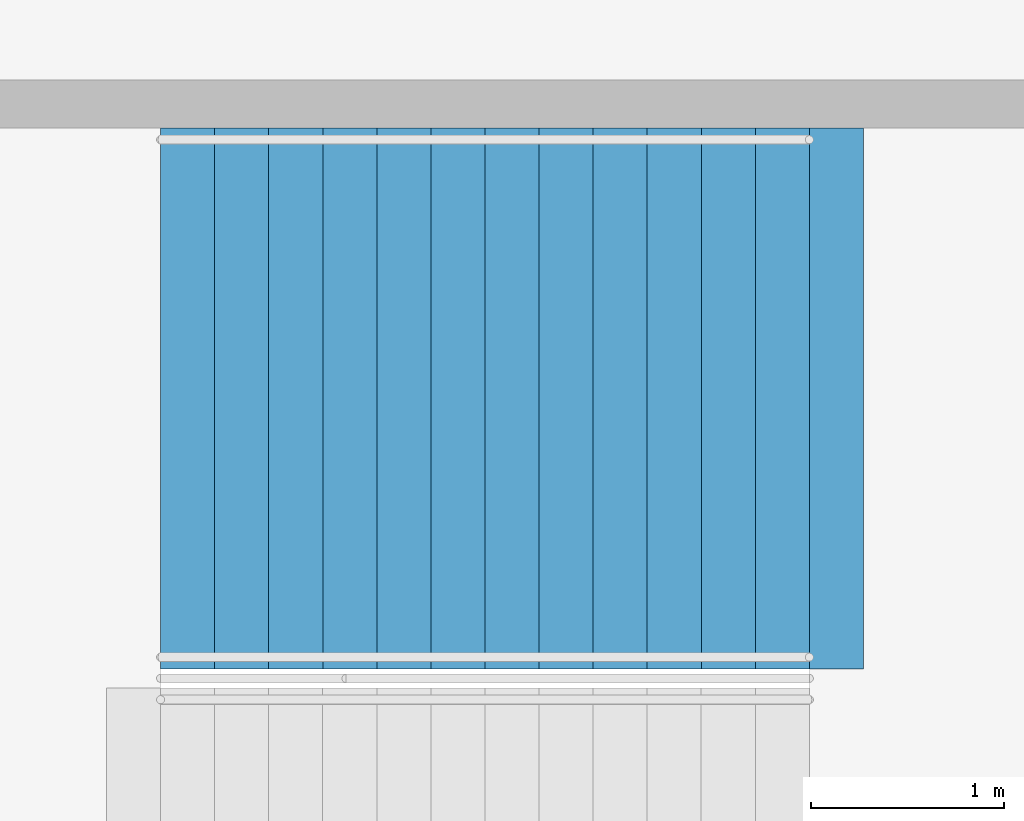
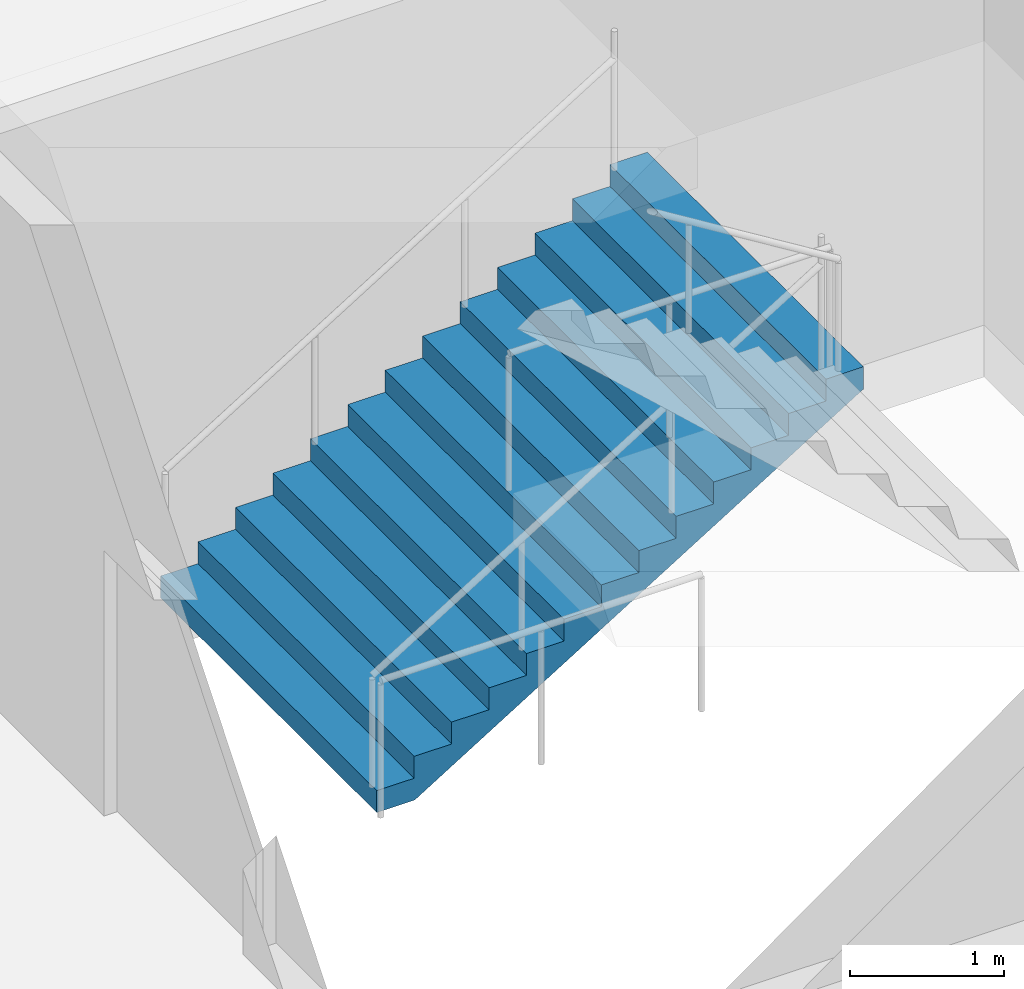
# One storey, part 177 of 199: 1 stair flight, 1 element without a shape of its own.
"""IFC4 building model written with IfcOpenShell, lengths in metres."""

from ifc_helpers import new_model, si_unit, direction, frame, origin, place, context, subcontext, project, spatial, faceted_brep, material, type_object, element, aggregate, save


model = new_model("IFC4")

# Units and contexts
model_context = context("Model", 3, precision=1e-05, world=origin(), true_north=direction((0.0, 1.0)))
body_context = subcontext(model_context, "Body", "Model", "MODEL_VIEW")
ifc_project = project(units=[si_unit("LENGTHUNIT", "METRE"), si_unit("AREAUNIT", "SQUARE_METRE"), si_unit("VOLUMEUNIT", "CUBIC_METRE"), si_unit("PLANEANGLEUNIT", "RADIAN"), si_unit("MASSUNIT", "GRAM", prefix="KILO")], contexts=[model_context])

# Site, building, storey
site_placement = place(None, origin())
site = spatial("IfcSite", under=ifc_project, at=site_placement, CompositionType="ELEMENT")
building_placement = place(site_placement, origin())
building = spatial("IfcBuilding", under=site, at=building_placement, Name="Ogive Plaza Stadium", CompositionType="ELEMENT")
storey_placement = place(building_placement, frame((0.0, 0.0, 4.5)))
storey = spatial("IfcBuildingStorey", under=building, at=storey_placement, Name="L01", CompositionType="ELEMENT", Elevation=4.5)

# Stair, stair flight
ifc_material_1 = material(Name="Concrete C40/50", Category="concrete")
stair_type = type_object("IfcStairType", Name="Exit stair", PredefinedType="STRAIGHT_RUN_STAIR", material=ifc_material_1)
stair_placement = place(storey_placement, origin())
stair = element("IfcStair", 1, at=stair_placement, inside=storey, type_object=stair_type, Name="Exit stair ST02B L01 to L02", PredefinedType="STRAIGHT_RUN_STAIR")
ifc_material_2 = material(Name="Concrete C40/50", Category="concrete")
stair_flight_type = type_object("IfcStairFlightType", Name="Exit stair flight", PredefinedType="STRAIGHT", material=ifc_material_2)
stair_flight_placement = place(storey_placement, frame((76.35009765625, 41.925048828125, 0.0), z_axis=(0.0, 0.0, 1.0), x_axis=(1.0, 0.0, 0.0)))
stair_flight = element("IfcStairFlight", 2, at=stair_flight_placement, type_object=stair_flight_type, Name="ST02B flight 1", NumberOfRisers=13, NumberOfTreads=12, PredefinedType="STRAIGHT", RiserHeight=0.173076923, TreadLength=0.28, context=body_context, shape_type="Brep", body=[
    faceted_brep([(0.28515625, -1.39990234375, 0.0), (3.639892578125, -1.39990234375, 2.07373046875), (3.639892578125, -1.39990234375, 2.25), (3.360107421875, -1.39990234375, 2.25), (3.360107421875, -1.39990234375, 2.076904296875), (3.080078125, -1.39990234375, 2.076904296875), (3.080078125, -1.39990234375, 1.90380859375), (2.800048828125, -1.39990234375, 1.90380859375), (2.800048828125, -1.39990234375, 1.730712890625), (2.52001953125, -1.39990234375, 1.730712890625), (2.52001953125, -1.39990234375, 1.5576171875), (2.239990234375, -1.39990234375, 1.5576171875), (2.239990234375, -1.39990234375, 1.384521484375), (1.9599609375, -1.39990234375, 1.384521484375), (1.9599609375, -1.39990234375, 1.21142578125), (1.679931640625, -1.39990234375, 1.21142578125), (1.679931640625, -1.39990234375, 1.03857421875), (1.39990234375, -1.39990234375, 1.03857421875), (1.39990234375, -1.39990234375, 0.865478515625), (1.1201171875, -1.39990234375, 0.865478515625), (1.1201171875, -1.39990234375, 0.6923828125), (0.840087890625, -1.39990234375, 0.6923828125), (0.840087890625, -1.39990234375, 0.519287109375), (0.56005859375, -1.39990234375, 0.519287109375), (0.56005859375, -1.39990234375, 0.34619140625), (0.280029296875, -1.39990234375, 0.34619140625), (0.280029296875, -1.39990234375, 0.173095703125), (0.0, -1.39990234375, 0.173095703125), (0.0, -1.39990234375, 0.0), (0.0, 1.39990234375, 0.0), (0.0, 1.39990234375, 0.173095703125), (0.280029296875, 1.39990234375, 0.173095703125), (0.280029296875, 1.39990234375, 0.34619140625), (0.56005859375, 1.39990234375, 0.34619140625), (0.56005859375, 1.39990234375, 0.519287109375), (0.840087890625, 1.39990234375, 0.519287109375), (0.840087890625, 1.39990234375, 0.6923828125), (1.1201171875, 1.39990234375, 0.6923828125), (1.1201171875, 1.39990234375, 0.865478515625), (1.39990234375, 1.39990234375, 0.865478515625), (1.39990234375, 1.39990234375, 1.03857421875), (1.679931640625, 1.39990234375, 1.03857421875), (1.679931640625, 1.39990234375, 1.21142578125), (1.9599609375, 1.39990234375, 1.21142578125), (1.9599609375, 1.39990234375, 1.384521484375), (2.239990234375, 1.39990234375, 1.384521484375), (2.239990234375, 1.39990234375, 1.5576171875), (2.52001953125, 1.39990234375, 1.5576171875), (2.52001953125, 1.39990234375, 1.730712890625), (2.800048828125, 1.39990234375, 1.730712890625), (2.800048828125, 1.39990234375, 1.90380859375), (3.080078125, 1.39990234375, 1.90380859375), (3.080078125, 1.39990234375, 2.076904296875), (3.360107421875, 1.39990234375, 2.076904296875), (3.360107421875, 1.39990234375, 2.25), (3.639892578125, 1.39990234375, 2.25), (3.639892578125, 1.39990234375, 2.07373046875), (0.28515625, 1.39990234375, 0.0), (0.28515625, -1.0888671875, 0.0), (3.639892578125, -1.0888671875, 2.07373046875), (0.28515625, -0.77783203125, 0.0), (3.639892578125, -0.77783203125, 2.07373046875), (0.28515625, -0.466796875, 0.0), (3.639892578125, -0.466796875, 2.07373046875), (0.28515625, -0.155517578125, 0.0), (3.639892578125, -0.155517578125, 2.07373046875), (0.28515625, 0.155517578125, 0.0), (3.639892578125, 0.155517578125, 2.07373046875), (0.28515625, 0.466796875, 0.0), (3.639892578125, 0.466796875, 2.07373046875), (0.28515625, 0.77783203125, 0.0), (3.639892578125, 0.77783203125, 2.07373046875), (0.28515625, 1.0888671875, 0.0), (3.639892578125, 1.0888671875, 2.07373046875), (3.639892578125, -1.0888671875, 2.25), (3.639892578125, -0.77783203125, 2.25), (3.639892578125, -0.466796875, 2.25), (3.639892578125, -0.155517578125, 2.25), (3.639892578125, 0.155517578125, 2.25), (3.639892578125, 0.466796875, 2.25), (3.639892578125, 0.77783203125, 2.25), (3.639892578125, 1.0888671875, 2.25), (3.360107421875, -1.0888671875, 2.25), (3.360107421875, -0.77783203125, 2.25), (3.360107421875, -0.466796875, 2.25), (3.360107421875, -0.155517578125, 2.25), (3.360107421875, 0.155517578125, 2.25), (3.360107421875, 0.466796875, 2.25), (3.360107421875, 0.77783203125, 2.25), (3.360107421875, 1.0888671875, 2.25), (3.360107421875, -1.0888671875, 2.076904296875), (3.360107421875, -0.77783203125, 2.076904296875), (3.360107421875, -0.466796875, 2.076904296875), (3.360107421875, -0.155517578125, 2.076904296875), (3.360107421875, 0.155517578125, 2.076904296875), (3.360107421875, 0.466796875, 2.076904296875), (3.360107421875, 0.77783203125, 2.076904296875), (3.360107421875, 1.0888671875, 2.076904296875), (3.080078125, -1.0888671875, 2.076904296875), (3.080078125, -0.77783203125, 2.076904296875), (3.080078125, -0.466796875, 2.076904296875), (3.080078125, -0.155517578125, 2.076904296875), (3.080078125, 0.155517578125, 2.076904296875), (3.080078125, 0.466796875, 2.076904296875), (3.080078125, 0.77783203125, 2.076904296875), (3.080078125, 1.0888671875, 2.076904296875), (3.080078125, -1.0888671875, 1.90380859375), (3.080078125, -0.77783203125, 1.90380859375), (3.080078125, -0.466796875, 1.90380859375), (3.080078125, -0.155517578125, 1.90380859375), (3.080078125, 0.155517578125, 1.90380859375), (3.080078125, 0.466796875, 1.90380859375), (3.080078125, 0.77783203125, 1.90380859375), (3.080078125, 1.0888671875, 1.90380859375), (2.800048828125, -1.0888671875, 1.90380859375), (2.800048828125, -0.77783203125, 1.90380859375), (2.800048828125, -0.466796875, 1.90380859375), (2.800048828125, -0.155517578125, 1.90380859375), (2.800048828125, 0.155517578125, 1.90380859375), (2.800048828125, 0.466796875, 1.90380859375), (2.800048828125, 0.77783203125, 1.90380859375), (2.800048828125, 1.0888671875, 1.90380859375), (2.800048828125, -1.0888671875, 1.730712890625), (2.800048828125, -0.77783203125, 1.730712890625), (2.800048828125, -0.466796875, 1.730712890625), (2.800048828125, -0.155517578125, 1.730712890625), (2.800048828125, 0.155517578125, 1.730712890625), (2.800048828125, 0.466796875, 1.730712890625), (2.800048828125, 0.77783203125, 1.730712890625), (2.800048828125, 1.0888671875, 1.730712890625), (2.52001953125, -1.0888671875, 1.730712890625), (2.52001953125, -0.77783203125, 1.730712890625), (2.52001953125, -0.466796875, 1.730712890625), (2.52001953125, -0.155517578125, 1.730712890625), (2.52001953125, 0.155517578125, 1.730712890625), (2.52001953125, 0.466796875, 1.730712890625), (2.52001953125, 0.77783203125, 1.730712890625), (2.52001953125, 1.0888671875, 1.730712890625), (2.52001953125, -1.0888671875, 1.5576171875), (2.52001953125, -0.77783203125, 1.5576171875), (2.52001953125, -0.466796875, 1.5576171875), (2.52001953125, -0.155517578125, 1.5576171875), (2.52001953125, 0.155517578125, 1.5576171875), (2.52001953125, 0.466796875, 1.5576171875), (2.52001953125, 0.77783203125, 1.5576171875), (2.52001953125, 1.0888671875, 1.5576171875), (2.239990234375, -1.0888671875, 1.5576171875), (2.239990234375, -0.77783203125, 1.5576171875), (2.239990234375, -0.466796875, 1.5576171875), (2.239990234375, -0.155517578125, 1.5576171875), (2.239990234375, 0.155517578125, 1.5576171875), (2.239990234375, 0.466796875, 1.5576171875), (2.239990234375, 0.77783203125, 1.5576171875), (2.239990234375, 1.0888671875, 1.5576171875), (2.239990234375, -1.0888671875, 1.384521484375), (2.239990234375, -0.77783203125, 1.384521484375), (2.239990234375, -0.466796875, 1.384521484375), (2.239990234375, -0.155517578125, 1.384521484375), (2.239990234375, 0.155517578125, 1.384521484375), (2.239990234375, 0.466796875, 1.384521484375), (2.239990234375, 0.77783203125, 1.384521484375), (2.239990234375, 1.0888671875, 1.384521484375), (1.9599609375, -1.0888671875, 1.384521484375), (1.9599609375, -0.77783203125, 1.384521484375), (1.9599609375, -0.466796875, 1.384521484375), (1.9599609375, -0.155517578125, 1.384521484375), (1.9599609375, 0.155517578125, 1.384521484375), (1.9599609375, 0.466796875, 1.384521484375), (1.9599609375, 0.77783203125, 1.384521484375), (1.9599609375, 1.0888671875, 1.384521484375), (1.9599609375, -1.0888671875, 1.21142578125), (1.9599609375, -0.77783203125, 1.21142578125), (1.9599609375, -0.466796875, 1.21142578125), (1.9599609375, -0.155517578125, 1.21142578125), (1.9599609375, 0.155517578125, 1.21142578125), (1.9599609375, 0.466796875, 1.21142578125), (1.9599609375, 0.77783203125, 1.21142578125), (1.9599609375, 1.0888671875, 1.21142578125), (1.679931640625, -1.0888671875, 1.21142578125), (1.679931640625, -0.77783203125, 1.21142578125), (1.679931640625, -0.466796875, 1.21142578125), (1.679931640625, -0.155517578125, 1.21142578125), (1.679931640625, 0.155517578125, 1.21142578125), (1.679931640625, 0.466796875, 1.21142578125), (1.679931640625, 0.77783203125, 1.21142578125), (1.679931640625, 1.0888671875, 1.21142578125), (1.679931640625, -1.0888671875, 1.03857421875), (1.679931640625, -0.77783203125, 1.03857421875), (1.679931640625, -0.466796875, 1.03857421875), (1.679931640625, -0.155517578125, 1.03857421875), (1.679931640625, 0.155517578125, 1.03857421875), (1.679931640625, 0.466796875, 1.03857421875), (1.679931640625, 0.77783203125, 1.03857421875), (1.679931640625, 1.0888671875, 1.03857421875), (1.39990234375, -1.0888671875, 1.03857421875), (1.39990234375, -0.77783203125, 1.03857421875), (1.39990234375, -0.466796875, 1.03857421875), (1.39990234375, -0.155517578125, 1.03857421875), (1.39990234375, 0.155517578125, 1.03857421875), (1.39990234375, 0.466796875, 1.03857421875), (1.39990234375, 0.77783203125, 1.03857421875), (1.39990234375, 1.0888671875, 1.03857421875), (1.39990234375, -1.0888671875, 0.865478515625), (1.39990234375, -0.77783203125, 0.865478515625), (1.39990234375, -0.466796875, 0.865478515625), (1.39990234375, -0.155517578125, 0.865478515625), (1.39990234375, 0.155517578125, 0.865478515625), (1.39990234375, 0.466796875, 0.865478515625), (1.39990234375, 0.77783203125, 0.865478515625), (1.39990234375, 1.0888671875, 0.865478515625), (1.1201171875, -1.0888671875, 0.865478515625), (1.1201171875, -0.77783203125, 0.865478515625), (1.1201171875, -0.466796875, 0.865478515625), (1.1201171875, -0.155517578125, 0.865478515625), (1.1201171875, 0.155517578125, 0.865478515625), (1.1201171875, 0.466796875, 0.865478515625), (1.1201171875, 0.77783203125, 0.865478515625), (1.1201171875, 1.0888671875, 0.865478515625), (1.1201171875, -1.0888671875, 0.6923828125), (1.1201171875, -0.77783203125, 0.6923828125), (1.1201171875, -0.466796875, 0.6923828125), (1.1201171875, -0.155517578125, 0.6923828125), (1.1201171875, 0.155517578125, 0.6923828125), (1.1201171875, 0.466796875, 0.6923828125), (1.1201171875, 0.77783203125, 0.6923828125), (1.1201171875, 1.0888671875, 0.6923828125), (0.840087890625, -1.0888671875, 0.6923828125), (0.840087890625, -0.77783203125, 0.6923828125), (0.840087890625, -0.466796875, 0.6923828125), (0.840087890625, -0.155517578125, 0.6923828125), (0.840087890625, 0.155517578125, 0.6923828125), (0.840087890625, 0.466796875, 0.6923828125), (0.840087890625, 0.77783203125, 0.6923828125), (0.840087890625, 1.0888671875, 0.6923828125), (0.840087890625, -1.0888671875, 0.519287109375), (0.840087890625, -0.77783203125, 0.519287109375), (0.840087890625, -0.466796875, 0.519287109375), (0.840087890625, -0.155517578125, 0.519287109375), (0.840087890625, 0.155517578125, 0.519287109375), (0.840087890625, 0.466796875, 0.519287109375), (0.840087890625, 0.77783203125, 0.519287109375), (0.840087890625, 1.0888671875, 0.519287109375), (0.56005859375, -1.0888671875, 0.519287109375), (0.56005859375, -0.77783203125, 0.519287109375), (0.56005859375, -0.466796875, 0.519287109375), (0.56005859375, -0.155517578125, 0.519287109375), (0.56005859375, 0.155517578125, 0.519287109375), (0.56005859375, 0.466796875, 0.519287109375), (0.56005859375, 0.77783203125, 0.519287109375), (0.56005859375, 1.0888671875, 0.519287109375), (0.56005859375, -1.0888671875, 0.34619140625), (0.56005859375, -0.77783203125, 0.34619140625), (0.56005859375, -0.466796875, 0.34619140625), (0.56005859375, -0.155517578125, 0.34619140625), (0.56005859375, 0.155517578125, 0.34619140625), (0.56005859375, 0.466796875, 0.34619140625), (0.56005859375, 0.77783203125, 0.34619140625), (0.56005859375, 1.0888671875, 0.34619140625), (0.280029296875, -1.0888671875, 0.34619140625), (0.280029296875, -0.77783203125, 0.34619140625), (0.280029296875, -0.466796875, 0.34619140625), (0.280029296875, -0.155517578125, 0.34619140625), (0.280029296875, 0.155517578125, 0.34619140625), (0.280029296875, 0.466796875, 0.34619140625), (0.280029296875, 0.77783203125, 0.34619140625), (0.280029296875, 1.0888671875, 0.34619140625), (0.280029296875, -1.0888671875, 0.173095703125), (0.280029296875, -0.77783203125, 0.173095703125), (0.280029296875, -0.466796875, 0.173095703125), (0.280029296875, -0.155517578125, 0.173095703125), (0.280029296875, 0.155517578125, 0.173095703125), (0.280029296875, 0.466796875, 0.173095703125), (0.280029296875, 0.77783203125, 0.173095703125), (0.280029296875, 1.0888671875, 0.173095703125), (0.0, -1.0888671875, 0.173095703125), (0.0, -0.77783203125, 0.173095703125), (0.0, -0.466796875, 0.173095703125), (0.0, -0.155517578125, 0.173095703125), (0.0, 0.155517578125, 0.173095703125), (0.0, 0.466796875, 0.173095703125), (0.0, 0.77783203125, 0.173095703125), (0.0, 1.0888671875, 0.173095703125), (0.0, -1.0888671875, 0.0), (0.0, -0.77783203125, 0.0), (0.0, -0.466796875, 0.0), (0.0, -0.155517578125, 0.0), (0.0, 0.155517578125, 0.0), (0.0, 0.466796875, 0.0), (0.0, 0.77783203125, 0.0), (0.0, 1.0888671875, 0.0)], [[[0, 1, 2, 3, 4, 5, 6, 7, 8, 9, 10, 11, 12, 13, 14, 15, 16, 17, 18, 19, 20, 21, 22, 23, 24, 25, 26, 27, 28]], [[29, 30, 31, 32, 33, 34, 35, 36, 37, 38, 39, 40, 41, 42, 43, 44, 45, 46, 47, 48, 49, 50, 51, 52, 53, 54, 55, 56, 57]], [[0, 58, 59, 1]], [[58, 60, 61, 59]], [[60, 62, 63, 61]], [[62, 64, 65, 63]], [[64, 66, 67, 65]], [[66, 68, 69, 67]], [[68, 70, 71, 69]], [[70, 72, 73, 71]], [[72, 57, 56, 73]], [[1, 59, 74, 2]], [[59, 61, 75, 74]], [[61, 63, 76, 75]], [[63, 65, 77, 76]], [[65, 67, 78, 77]], [[67, 69, 79, 78]], [[69, 71, 80, 79]], [[71, 73, 81, 80]], [[73, 56, 55, 81]], [[2, 74, 82, 3]], [[74, 75, 83, 82]], [[75, 76, 84, 83]], [[76, 77, 85, 84]], [[77, 78, 86, 85]], [[78, 79, 87, 86]], [[79, 80, 88, 87]], [[80, 81, 89, 88]], [[81, 55, 54, 89]], [[3, 82, 90, 4]], [[82, 83, 91, 90]], [[83, 84, 92, 91]], [[84, 85, 93, 92]], [[85, 86, 94, 93]], [[86, 87, 95, 94]], [[87, 88, 96, 95]], [[88, 89, 97, 96]], [[89, 54, 53, 97]], [[4, 90, 98, 5]], [[90, 91, 99, 98]], [[91, 92, 100, 99]], [[92, 93, 101, 100]], [[93, 94, 102, 101]], [[94, 95, 103, 102]], [[95, 96, 104, 103]], [[96, 97, 105, 104]], [[97, 53, 52, 105]], [[5, 98, 106, 6]], [[98, 99, 107, 106]], [[99, 100, 108, 107]], [[100, 101, 109, 108]], [[101, 102, 110, 109]], [[102, 103, 111, 110]], [[103, 104, 112, 111]], [[104, 105, 113, 112]], [[105, 52, 51, 113]], [[6, 106, 114, 7]], [[106, 107, 115, 114]], [[107, 108, 116, 115]], [[108, 109, 117, 116]], [[109, 110, 118, 117]], [[110, 111, 119, 118]], [[111, 112, 120, 119]], [[112, 113, 121, 120]], [[113, 51, 50, 121]], [[7, 114, 122, 8]], [[114, 115, 123, 122]], [[115, 116, 124, 123]], [[116, 117, 125, 124]], [[117, 118, 126, 125]], [[118, 119, 127, 126]], [[119, 120, 128, 127]], [[120, 121, 129, 128]], [[121, 50, 49, 129]], [[8, 122, 130, 9]], [[122, 123, 131, 130]], [[123, 124, 132, 131]], [[124, 125, 133, 132]], [[125, 126, 134, 133]], [[126, 127, 135, 134]], [[127, 128, 136, 135]], [[128, 129, 137, 136]], [[129, 49, 48, 137]], [[9, 130, 138, 10]], [[130, 131, 139, 138]], [[131, 132, 140, 139]], [[132, 133, 141, 140]], [[133, 134, 142, 141]], [[134, 135, 143, 142]], [[135, 136, 144, 143]], [[136, 137, 145, 144]], [[137, 48, 47, 145]], [[10, 138, 146, 11]], [[138, 139, 147, 146]], [[139, 140, 148, 147]], [[140, 141, 149, 148]], [[141, 142, 150, 149]], [[142, 143, 151, 150]], [[143, 144, 152, 151]], [[144, 145, 153, 152]], [[145, 47, 46, 153]], [[11, 146, 154, 12]], [[146, 147, 155, 154]], [[147, 148, 156, 155]], [[148, 149, 157, 156]], [[149, 150, 158, 157]], [[150, 151, 159, 158]], [[151, 152, 160, 159]], [[152, 153, 161, 160]], [[153, 46, 45, 161]], [[12, 154, 162, 13]], [[154, 155, 163, 162]], [[155, 156, 164, 163]], [[156, 157, 165, 164]], [[157, 158, 166, 165]], [[158, 159, 167, 166]], [[159, 160, 168, 167]], [[160, 161, 169, 168]], [[161, 45, 44, 169]], [[13, 162, 170, 14]], [[162, 163, 171, 170]], [[163, 164, 172, 171]], [[164, 165, 173, 172]], [[165, 166, 174, 173]], [[166, 167, 175, 174]], [[167, 168, 176, 175]], [[168, 169, 177, 176]], [[169, 44, 43, 177]], [[14, 170, 178, 15]], [[170, 171, 179, 178]], [[171, 172, 180, 179]], [[172, 173, 181, 180]], [[173, 174, 182, 181]], [[174, 175, 183, 182]], [[175, 176, 184, 183]], [[176, 177, 185, 184]], [[177, 43, 42, 185]], [[15, 178, 186, 16]], [[178, 179, 187, 186]], [[179, 180, 188, 187]], [[180, 181, 189, 188]], [[181, 182, 190, 189]], [[182, 183, 191, 190]], [[183, 184, 192, 191]], [[184, 185, 193, 192]], [[185, 42, 41, 193]], [[16, 186, 194, 17]], [[186, 187, 195, 194]], [[187, 188, 196, 195]], [[188, 189, 197, 196]], [[189, 190, 198, 197]], [[190, 191, 199, 198]], [[191, 192, 200, 199]], [[192, 193, 201, 200]], [[193, 41, 40, 201]], [[17, 194, 202, 18]], [[194, 195, 203, 202]], [[195, 196, 204, 203]], [[196, 197, 205, 204]], [[197, 198, 206, 205]], [[198, 199, 207, 206]], [[199, 200, 208, 207]], [[200, 201, 209, 208]], [[201, 40, 39, 209]], [[18, 202, 210, 19]], [[202, 203, 211, 210]], [[203, 204, 212, 211]], [[204, 205, 213, 212]], [[205, 206, 214, 213]], [[206, 207, 215, 214]], [[207, 208, 216, 215]], [[208, 209, 217, 216]], [[209, 39, 38, 217]], [[19, 210, 218, 20]], [[210, 211, 219, 218]], [[211, 212, 220, 219]], [[212, 213, 221, 220]], [[213, 214, 222, 221]], [[214, 215, 223, 222]], [[215, 216, 224, 223]], [[216, 217, 225, 224]], [[217, 38, 37, 225]], [[20, 218, 226, 21]], [[218, 219, 227, 226]], [[219, 220, 228, 227]], [[220, 221, 229, 228]], [[221, 222, 230, 229]], [[222, 223, 231, 230]], [[223, 224, 232, 231]], [[224, 225, 233, 232]], [[225, 37, 36, 233]], [[21, 226, 234, 22]], [[226, 227, 235, 234]], [[227, 228, 236, 235]], [[228, 229, 237, 236]], [[229, 230, 238, 237]], [[230, 231, 239, 238]], [[231, 232, 240, 239]], [[232, 233, 241, 240]], [[233, 36, 35, 241]], [[22, 234, 242, 23]], [[234, 235, 243, 242]], [[235, 236, 244, 243]], [[236, 237, 245, 244]], [[237, 238, 246, 245]], [[238, 239, 247, 246]], [[239, 240, 248, 247]], [[240, 241, 249, 248]], [[241, 35, 34, 249]], [[23, 242, 250, 24]], [[242, 243, 251, 250]], [[243, 244, 252, 251]], [[244, 245, 253, 252]], [[245, 246, 254, 253]], [[246, 247, 255, 254]], [[247, 248, 256, 255]], [[248, 249, 257, 256]], [[249, 34, 33, 257]], [[24, 250, 258, 25]], [[250, 251, 259, 258]], [[251, 252, 260, 259]], [[252, 253, 261, 260]], [[253, 254, 262, 261]], [[254, 255, 263, 262]], [[255, 256, 264, 263]], [[256, 257, 265, 264]], [[257, 33, 32, 265]], [[25, 258, 266, 26]], [[258, 259, 267, 266]], [[259, 260, 268, 267]], [[260, 261, 269, 268]], [[261, 262, 270, 269]], [[262, 263, 271, 270]], [[263, 264, 272, 271]], [[264, 265, 273, 272]], [[265, 32, 31, 273]], [[26, 266, 274, 27]], [[266, 267, 275, 274]], [[267, 268, 276, 275]], [[268, 269, 277, 276]], [[269, 270, 278, 277]], [[270, 271, 279, 278]], [[271, 272, 280, 279]], [[272, 273, 281, 280]], [[273, 31, 30, 281]], [[27, 274, 282, 28]], [[274, 275, 283, 282]], [[275, 276, 284, 283]], [[276, 277, 285, 284]], [[277, 278, 286, 285]], [[278, 279, 287, 286]], [[279, 280, 288, 287]], [[280, 281, 289, 288]], [[281, 30, 29, 289]], [[28, 282, 58, 0]], [[282, 283, 60, 58]], [[283, 284, 62, 60]], [[284, 285, 64, 62]], [[285, 286, 66, 64]], [[286, 287, 68, 66]], [[287, 288, 70, 68]], [[288, 289, 72, 70]], [[289, 29, 57, 72]]]),
])
aggregate(stair, [stair_flight])

save(model, "model.ifc")
